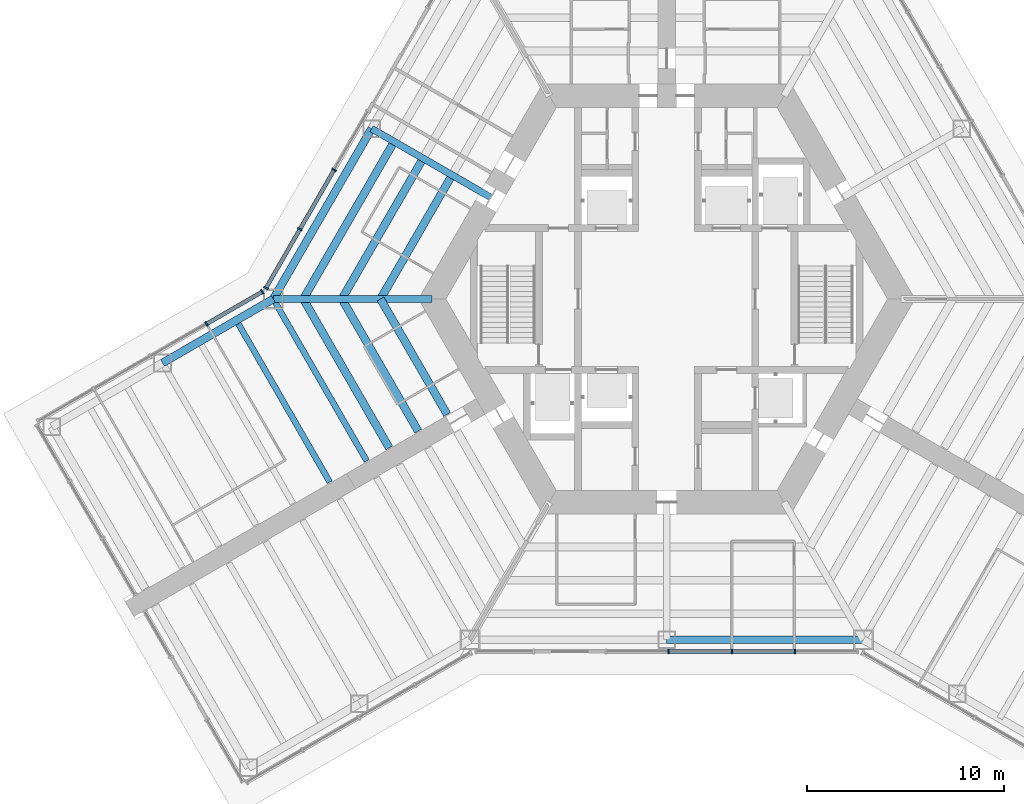
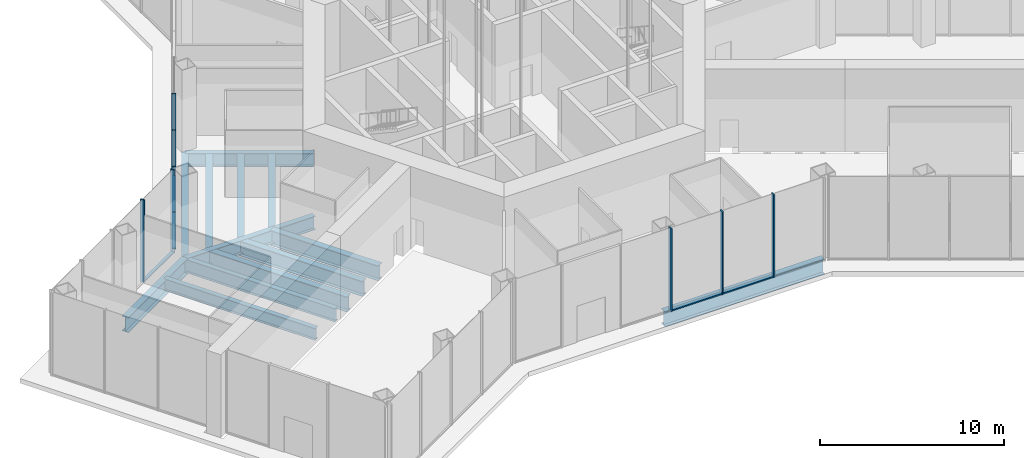
# One storey, part 3 of 18: 13 beams, 13 members, 3 elements without a shape of their own.
"""IFC4 building model written with IfcOpenShell, lengths in metres."""

from ifc_helpers import new_model, si_unit, direction, frame, origin, origin_2d, place, context, subcontext, project, spatial, rectangle, i_section, extrude, material, material_profile, profile_set, type_object, element, aggregate, save


model = new_model("IFC4")

# Units and contexts
model_context = context("Model", 3, precision=1e-05, world=origin(), true_north=direction((0.0, 1.0)))
body_context = subcontext(model_context, "Body", "Model", "MODEL_VIEW")
ifc_project = project(units=[si_unit("LENGTHUNIT", "METRE"), si_unit("AREAUNIT", "SQUARE_METRE"), si_unit("VOLUMEUNIT", "CUBIC_METRE"), si_unit("PLANEANGLEUNIT", "RADIAN"), si_unit("MASSUNIT", "GRAM", prefix="KILO")], contexts=[model_context])

# Site, building, storey
site_placement = place(None, origin())
site = spatial("IfcSite", under=ifc_project, at=site_placement, CompositionType="ELEMENT")
building_placement = place(site_placement, origin())
building = spatial("IfcBuilding", under=site, at=building_placement, Name="Kasaneha Research Tower", CompositionType="ELEMENT")
storey_placement = place(building_placement, origin())
storey = spatial("IfcBuildingStorey", under=building, at=storey_placement, Name="L01", CompositionType="ELEMENT", Elevation=0.0)

# Beams
ifc_material_1 = material(Name="Steel SN490B", Category="steel")
ifc_material_profile_1 = material_profile(ifc_material_1, i_section(OverallWidth=0.39990234375, OverallDepth=1.0, WebThickness=0.01904296875, FlangeThickness=0.035888671875, at=origin_2d()), Name="BH-1000x400x19x36")
ifc_profile_set_1 = profile_set([ifc_material_profile_1], Name="Steel SN490B")
beam_type_1 = type_object("IfcBeamType", Name="B1-0 secondary beam BH-1000x400x19x36", PredefinedType="JOIST", material=ifc_profile_set_1)
beam_1_placement = place(storey_placement, frame((-14.54931640625, 0.0, -0.800048828125), z_axis=(0.500000279077, 0.866025242659, 0.0), x_axis=(-0.866025242659, 0.500000279077, 0.0)))
element("IfcBeam", 1, at=beam_1_placement, inside=storey, type_object=beam_type_1, Name="Secondary beam RS150R1 L01", PredefinedType="JOIST", context=body_context, shape_type="SweptSolid", body=[
    extrude(i_section(OverallWidth=0.39990234375, OverallDepth=1.0, WebThickness=0.01904296875, FlangeThickness=0.035888671875, at=origin_2d()), origin(), (0.0, 0.0, 1.0), 7.099609375),
])
beam_2_placement = place(storey_placement, frame((-16.51220703125, 0.0, -0.800048828125), z_axis=(0.499992685514, 0.866029626764, 0.0), x_axis=(-0.866029626764, 0.499992685514, 0.0)))
element("IfcBeam", 2, at=beam_2_placement, inside=storey, type_object=beam_type_1, Name="Secondary beam RS150R2 L01", PredefinedType="JOIST", context=body_context, shape_type="SweptSolid", body=[
    extrude(i_section(OverallWidth=0.39990234375, OverallDepth=1.0, WebThickness=0.01904296875, FlangeThickness=0.035888671875, at=origin_2d()), origin(), (0.0, 0.0, 1.0), 8.0810546875),
])
beam_3_placement = place(storey_placement, frame((-18.47509765625, 0.0, -0.800048828125), z_axis=(0.499998401736, 0.866026326541, 0.0), x_axis=(-0.866026326541, 0.499998401736, 0.0)))
element("IfcBeam", 3, at=beam_3_placement, inside=storey, type_object=beam_type_1, Name="Secondary beam RS150R3 L01", PredefinedType="JOIST", context=body_context, shape_type="SweptSolid", body=[
    extrude(i_section(OverallWidth=0.39990234375, OverallDepth=1.0, WebThickness=0.01904296875, FlangeThickness=0.035888671875, at=origin_2d()), origin(), (0.0, 0.0, 1.0), 9.0625),
])
beam_4_placement = place(storey_placement, frame((-14.54931640625, 0.0, -0.800048828125), z_axis=(0.500018802781, -0.866014547721, 0.0), x_axis=(0.866014547721, 0.500018802781, 0.0)))
element("IfcBeam", 4, at=beam_4_placement, inside=storey, type_object=beam_type_1, Name="Secondary beam RS210L1 L01", PredefinedType="JOIST", context=body_context, shape_type="SweptSolid", body=[
    extrude(i_section(OverallWidth=0.39990234375, OverallDepth=1.0, WebThickness=0.01904296875, FlangeThickness=0.035888671875, at=origin_2d()), origin(), (0.0, 0.0, 1.0), 6.774658203125),
])
beam_5_placement = place(storey_placement, frame((-16.51220703125, 0.0, -0.800048828125), z_axis=(0.499984939085, -0.866034099033, 0.0), x_axis=(0.866034099033, 0.499984939085, 0.0)))
element("IfcBeam", 5, at=beam_5_placement, inside=storey, type_object=beam_type_1, Name="Secondary beam RS210L2 L01", PredefinedType="JOIST", context=body_context, shape_type="SweptSolid", body=[
    extrude(i_section(OverallWidth=0.39990234375, OverallDepth=1.0, WebThickness=0.01904296875, FlangeThickness=0.035888671875, at=origin_2d()), origin(), (0.0, 0.0, 1.0), 7.756103515625),
])
beam_6_placement = place(storey_placement, frame((-18.47509765625, 0.0, -0.800048828125), z_axis=(0.499991738058, -0.866030173766, 0.0), x_axis=(0.866030173766, 0.499991738058, 0.0)))
element("IfcBeam", 6, at=beam_6_placement, inside=storey, type_object=beam_type_1, Name="Secondary beam RS210L3 L01", PredefinedType="JOIST", context=body_context, shape_type="SweptSolid", body=[
    extrude(i_section(OverallWidth=0.39990234375, OverallDepth=1.0, WebThickness=0.01904296875, FlangeThickness=0.035888671875, at=origin_2d()), origin(), (0.0, 0.0, 1.0), 8.737548828125),
])
ifc_material_2 = material(Name="Steel SN490B", Category="steel")
ifc_material_profile_2 = material_profile(ifc_material_2, i_section(OverallWidth=0.300048828125, OverallDepth=0.800048828125, WebThickness=0.013916015625, FlangeThickness=0.02587890625, FilletRadius=0.01806640625, at=origin_2d()), Name="H-800x300x14x26")
ifc_profile_set_2 = profile_set([ifc_material_profile_2], Name="Steel SN490B")
beam_type_2 = type_object("IfcBeamType", Name="B2-0 secondary beam H-800x300x14x26", PredefinedType="JOIST", material=ifc_profile_set_2)
beam_7_placement = place(storey_placement, frame((-21.87646484375, -1.083251953125, -0.699951171875), z_axis=(0.499997557548, -0.86602681393, 0.0), x_axis=(0.86602681393, 0.499997557548, 0.0)))
element("IfcBeam", 7, at=beam_7_placement, inside=storey, type_object=beam_type_2, Name="Secondary beam WBBP1 L01", PredefinedType="JOIST", context=body_context, shape_type="SweptSolid", body=[
    extrude(i_section(OverallWidth=0.300048828125, OverallDepth=0.800048828125, WebThickness=0.013916015625, FlangeThickness=0.02587890625, FilletRadius=0.01806640625, at=origin_2d()), origin(), (0.0, 0.0, 1.0), 9.5),
])

# Curtain wall, members
ifc_material_3 = material(Name="Glass and aluminium", Category="aluminium")
curtain_wall_type = type_object("IfcCurtainWallType", Name="Entrance hall curtain wall", PredefinedType="USERDEFINED", material=ifc_material_3)
curtain_wall_1_placement = place(storey_placement, origin())
curtain_wall_1 = element("IfcCurtainWall", 8, at=curtain_wall_1_placement, inside=storey, type_object=curtain_wall_type, Name="CW-H L01 run 02c", ObjectType="UNITISED CURTAIN WALL", PredefinedType="USERDEFINED")
ifc_material_4 = material(Name="Aluminium 6063-T6", Category="aluminium")
ifc_material_profile_3 = material_profile(ifc_material_4, rectangle(XDim=0.080078125, YDim=0.25, at=origin_2d()), Name="CW-H mullion 80x250")
ifc_profile_set_3 = profile_set([ifc_material_profile_3], Name="Aluminium 6063-T6")
member_type_1 = type_object("IfcMemberType", Name="CW-H mullion", PredefinedType="MULLION", material=ifc_profile_set_3)
member_1_placement = place(storey_placement, frame((0.09521484375, -17.92041015625, 0.0), z_axis=(0.0, 0.0, 1.0), x_axis=(1.0, 0.0, 0.0)))
member_1 = element("IfcMember", 9, at=member_1_placement, type_object=member_type_1, Name="CW-H mullion 2", PredefinedType="MULLION", context=body_context, shape_type="SweptSolid", body=[
    extrude(rectangle(XDim=0.080078125, YDim=0.25, at=origin_2d()), origin(), (0.0, 0.0, 1.0), 5.5),
])
member_2_placement = place(storey_placement, frame((3.309814453125, -17.92041015625, 0.0), z_axis=(0.0, 0.0, 1.0), x_axis=(1.0, 0.0, 0.0)))
member_2 = element("IfcMember", 10, at=member_2_placement, type_object=member_type_1, Name="CW-H mullion 3", PredefinedType="MULLION", context=body_context, shape_type="SweptSolid", body=[
    extrude(rectangle(XDim=0.080078125, YDim=0.25, at=origin_2d()), origin(), (0.0, 0.0, 1.0), 5.5),
])
member_3_placement = place(storey_placement, frame((6.5244140625, -17.92041015625, 0.0), z_axis=(0.0, 0.0, 1.0), x_axis=(1.0, 0.0, 0.0)))
member_3 = element("IfcMember", 11, at=member_3_placement, type_object=member_type_1, Name="CW-H mullion 4", PredefinedType="MULLION", context=body_context, shape_type="SweptSolid", body=[
    extrude(rectangle(XDim=0.080078125, YDim=0.25, at=origin_2d()), origin(), (0.0, 0.0, 1.0), 5.5),
])

curtain_wall_2_placement = place(storey_placement, origin())
curtain_wall_2 = element("IfcCurtainWall", 12, at=curtain_wall_2_placement, inside=storey, type_object=curtain_wall_type, Name="CW-H L01 run 12d", ObjectType="UNITISED CURTAIN WALL", PredefinedType="USERDEFINED")
member_4_placement = place(storey_placement, frame((-16.90283203125, 6.564453125, 0.0), z_axis=(0.0, 0.0, 1.0), x_axis=(-0.49999996188, -0.866025425793, 0.0)))
member_4 = element("IfcMember", 13, at=member_4_placement, type_object=member_type_1, Name="CW-H mullion 2", PredefinedType="MULLION", context=body_context, shape_type="SweptSolid", body=[
    extrude(rectangle(XDim=0.080078125, YDim=0.25, at=origin_2d()), origin(), (0.0, 0.0, 1.0), 5.5),
])
member_5_placement = place(storey_placement, frame((-18.64599609375, 3.545166015625, 0.0), z_axis=(0.0, 0.0, 1.0), x_axis=(-0.49999996188, -0.866025425793, 0.0)))
member_5 = element("IfcMember", 14, at=member_5_placement, type_object=member_type_1, Name="CW-H mullion 3", PredefinedType="MULLION", context=body_context, shape_type="SweptSolid", body=[
    extrude(rectangle(XDim=0.080078125, YDim=0.25, at=origin_2d()), origin(), (0.0, 0.0, 1.0), 5.5),
])
member_6_placement = place(storey_placement, frame((-20.369140625, 0.560546875, 0.0), z_axis=(0.0, 0.0, 1.0), x_axis=(-0.49999996188, -0.866025425793, 0.0)))
member_6 = element("IfcMember", 15, at=member_6_placement, type_object=member_type_1, Name="CW-H mullion 4", PredefinedType="MULLION", context=body_context, shape_type="SweptSolid", body=[
    extrude(rectangle(XDim=0.080078125, YDim=0.25, at=origin_2d()), origin(), (0.0, 0.0, 1.0), 5.5),
])

curtain_wall_3_placement = place(storey_placement, origin())
curtain_wall_3 = element("IfcCurtainWall", 16, at=curtain_wall_3_placement, inside=storey, type_object=curtain_wall_type, Name="CW-H L01 run 13a", ObjectType="UNITISED CURTAIN WALL", PredefinedType="USERDEFINED")
member_7_placement = place(storey_placement, frame((-20.560546875, 0.369140625, 0.0), z_axis=(0.0, 0.0, 1.0), x_axis=(-0.866025411464, -0.499999986699, 0.0)))
member_7 = element("IfcMember", 17, at=member_7_placement, type_object=member_type_1, Name="CW-H mullion 1", PredefinedType="MULLION", context=body_context, shape_type="SweptSolid", body=[
    extrude(rectangle(XDim=0.080078125, YDim=0.25, at=origin_2d()), origin(), (0.0, 0.0, 1.0), 5.5),
])
member_8_placement = place(storey_placement, frame((-23.39208984375, -1.265625, 0.0), z_axis=(0.0, 0.0, 1.0), x_axis=(-0.866025411464, -0.499999986699, 0.0)))
member_8 = element("IfcMember", 18, at=member_8_placement, type_object=member_type_1, Name="CW-H mullion 2", PredefinedType="MULLION", context=body_context, shape_type="SweptSolid", body=[
    extrude(rectangle(XDim=0.080078125, YDim=0.25, at=origin_2d()), origin(), (0.0, 0.0, 1.0), 5.5),
])

# Member
ifc_material_5 = material(Name="Aluminium 6063-T6", Category="aluminium")
ifc_material_profile_4 = material_profile(ifc_material_5, rectangle(XDim=0.199951171875, YDim=0.080078125, at=origin_2d()), Name="CW-H transom 200x80")
ifc_profile_set_4 = profile_set([ifc_material_profile_4], Name="Aluminium 6063-T6")
member_type_2 = type_object("IfcMemberType", Name="CW-H transom", PredefinedType="USERDEFINED", material=ifc_profile_set_4)
member_9_placement = place(storey_placement, frame((0.135009765625, -17.92041015625, 0.0400390625), z_axis=(1.0, 0.0, 0.0), x_axis=(0.0, 1.0, 0.0)))
member_9 = element("IfcMember", 19, at=member_9_placement, type_object=member_type_2, Name="CW-H transom 2", ObjectType="TRANSOM", PredefinedType="USERDEFINED", context=body_context, shape_type="SweptSolid", body=[
    extrude(rectangle(XDim=0.199951171875, YDim=0.080078125, at=origin_2d()), origin(), (0.0, 0.0, 1.0), 3.134765625),
])

member_10_placement = place(storey_placement, frame((3.349853515625, -17.92041015625, 0.0400390625), z_axis=(1.0, 0.0, 0.0), x_axis=(0.0, 1.0, 0.0)))
member_10 = element("IfcMember", 20, at=member_10_placement, type_object=member_type_2, Name="CW-H transom 3", ObjectType="TRANSOM", PredefinedType="USERDEFINED", context=body_context, shape_type="SweptSolid", body=[
    extrude(rectangle(XDim=0.199951171875, YDim=0.080078125, at=origin_2d()), origin(), (0.0, 0.0, 1.0), 3.134765625),
])

aggregate(curtain_wall_1, [member_1, member_2, member_3, member_9, member_10])

member_11_placement = place(storey_placement, frame((-16.9228515625, 6.52978515625, 0.0400390625), z_axis=(-0.49999337185, -0.866029230515, 0.0), x_axis=(0.866029230515, -0.49999337185, 0.0)))
member_11 = element("IfcMember", 21, at=member_11_placement, type_object=member_type_2, Name="CW-H transom 2", ObjectType="TRANSOM", PredefinedType="USERDEFINED", context=body_context, shape_type="SweptSolid", body=[
    extrude(rectangle(XDim=0.199951171875, YDim=0.080078125, at=origin_2d()), origin(), (0.0, 0.0, 1.0), 3.40625),
])

member_12_placement = place(storey_placement, frame((-18.666015625, 3.510498046875, 0.0400390625), z_axis=(-0.499992408473, -0.86602978671, 0.0), x_axis=(0.86602978671, -0.499992408473, 0.0)))
member_12 = element("IfcMember", 22, at=member_12_placement, type_object=member_type_2, Name="CW-H transom 3", ObjectType="TRANSOM", PredefinedType="USERDEFINED", context=body_context, shape_type="SweptSolid", body=[
    extrude(rectangle(XDim=0.199951171875, YDim=0.080078125, at=origin_2d()), origin(), (0.0, 0.0, 1.0), 3.3662109375),
])

aggregate(curtain_wall_2, [member_4, member_5, member_6, member_11, member_12])

member_13_placement = place(storey_placement, frame((-20.59521484375, 0.34912109375, 0.0400390625), z_axis=(-0.866049209109, -0.499958765701, 0.0), x_axis=(0.499958765701, -0.866049209109, 0.0)))
member_13 = element("IfcMember", 23, at=member_13_placement, type_object=member_type_2, Name="CW-H transom 1", ObjectType="TRANSOM", PredefinedType="USERDEFINED", context=body_context, shape_type="SweptSolid", body=[
    extrude(rectangle(XDim=0.199951171875, YDim=0.080078125, at=origin_2d()), origin(), (0.0, 0.0, 1.0), 3.189697265625),
])

aggregate(curtain_wall_3, [member_7, member_8, member_13])

# Beams
ifc_material_6 = material(Name="Steel SN490B", Category="steel")
ifc_material_profile_5 = material_profile(ifc_material_6, i_section(OverallWidth=0.35009765625, OverallDepth=0.89990234375, WebThickness=0.01611328125, FlangeThickness=0.031982421875, at=origin_2d()), Name="BH-900x350x16x32")
ifc_profile_set_5 = profile_set([ifc_material_profile_5], Name="Steel SN490B")
beam_type_3 = type_object("IfcBeamType", Name="G1-0 radial girder BH-900x350x16x32", PredefinedType="BEAM", material=ifc_profile_set_5)
beam_8_placement = place(storey_placement, frame((-11.92236328125, 0.0, -0.75), z_axis=(-1.0, 0.0, 0.0), x_axis=(0.0, -1.0, 0.0)))
element("IfcBeam", 24, at=beam_8_placement, inside=storey, type_object=beam_type_3, Name="Radial girder RV180 L01", PredefinedType="BEAM", context=body_context, shape_type="SweptSolid", body=[
    extrude(i_section(OverallWidth=0.35009765625, OverallDepth=0.89990234375, WebThickness=0.01611328125, FlangeThickness=0.031982421875, at=origin_2d()), origin(), (0.0, 0.0, 1.0), 8.07763671875),
])
ifc_material_7 = material(Name="Steel SN490B", Category="steel")
ifc_material_profile_6 = material_profile(ifc_material_7, i_section(OverallWidth=0.35009765625, OverallDepth=0.89990234375, WebThickness=0.01611328125, FlangeThickness=0.031982421875, at=origin_2d()), Name="BH-900x350x16x32")
ifc_profile_set_6 = profile_set([ifc_material_profile_6], Name="Steel SN490B")
beam_type_4 = type_object("IfcBeamType", Name="G2-0 radial girder BH-900x350x16x32", PredefinedType="BEAM", material=ifc_profile_set_6)
beam_9_placement = place(storey_placement, frame((-8.941650390625, 5.16259765625, -0.75), z_axis=(-0.866039713508, 0.499975214012, 0.0), x_axis=(-0.499975214012, -0.866039713508, 0.0)))
element("IfcBeam", 25, at=beam_9_placement, inside=storey, type_object=beam_type_4, Name="Radial girder RM150 L01", PredefinedType="BEAM", context=body_context, shape_type="SweptSolid", body=[
    extrude(i_section(OverallWidth=0.35009765625, OverallDepth=0.89990234375, WebThickness=0.01611328125, FlangeThickness=0.031982421875, at=origin_2d()), origin(), (0.0, 0.0, 1.0), 6.995361328125),
])
ifc_material_8 = material(Name="Steel SN490B", Category="steel")
ifc_material_profile_7 = material_profile(ifc_material_8, i_section(OverallWidth=0.299072265625, OverallDepth=0.889892578125, WebThickness=0.014892578125, FlangeThickness=0.02294921875, FilletRadius=0.01806640625, at=origin_2d()), Name="H-890x299x15x23")
ifc_profile_set_7 = profile_set([ifc_material_profile_7], Name="Steel SN490B")
beam_type_5 = type_object("IfcBeamType", Name="G3-0 plate edge girder H-890x299x15x23", PredefinedType="BEAM", material=ifc_profile_set_7)
beam_10_placement = place(storey_placement, frame((-20.0, 0.0, -0.7451171875), z_axis=(0.499997557548, -0.86602681393, 0.0), x_axis=(0.86602681393, 0.499997557548, 0.0)))
element("IfcBeam", 26, at=beam_10_placement, inside=storey, type_object=beam_type_5, Name="Plate edge girder PEBP L01", PredefinedType="BEAM", context=body_context, shape_type="SweptSolid", body=[
    extrude(i_section(OverallWidth=0.299072265625, OverallDepth=0.889892578125, WebThickness=0.014892578125, FlangeThickness=0.02294921875, FilletRadius=0.01806640625, at=origin_2d()), origin(), (0.0, 0.0, 1.0), 9.5),
])
ifc_material_9 = material(Name="Steel SN490B", Category="steel")
ifc_material_profile_8 = material_profile(ifc_material_9, i_section(OverallWidth=0.39990234375, OverallDepth=1.0, WebThickness=0.01904296875, FlangeThickness=0.035888671875, at=origin_2d()), Name="BH-1000x400x19x36")
ifc_profile_set_8 = profile_set([ifc_material_profile_8], Name="Steel SN490B")
beam_type_6 = type_object("IfcBeamType", Name="SB1-0 spandrel beam BH-1000x400x19x36", PredefinedType="SPANDREL", material=ifc_profile_set_8)
for number, where, z_axis, x_axis, name in (
    (27, (-20.0, 0.0, -0.800048828125), (0.500004234368, 0.866022959057, 0.0), (-0.866022959057, 0.500004234368, 0.0), "Spandrel beam SR150R L01"),
    (28, (10.0, -17.320556640625, -0.800048828125), (-1.0, 0.0, 0.0), (0.0, -1.0, 0.0), "Spandrel beam SR270R L01"),
):
    element("IfcBeam", number, at=place(storey_placement, frame(where, z_axis=z_axis, x_axis=x_axis)), inside=storey, type_object=beam_type_6, Name=name, PredefinedType="SPANDREL", context=body_context, shape_type="SweptSolid", body=[
        extrude(i_section(OverallWidth=0.39990234375, OverallDepth=1.0, WebThickness=0.01904296875, FlangeThickness=0.035888671875, at=origin_2d()), origin(), (0.0, 0.0, 1.0), 10.0),
    ])
ifc_material_10 = material(Name="Steel SN490B", Category="steel")
ifc_material_profile_9 = material_profile(ifc_material_10, i_section(OverallWidth=0.39990234375, OverallDepth=1.0, WebThickness=0.01904296875, FlangeThickness=0.035888671875, at=origin_2d()), Name="BH-1000x400x19x36")
ifc_profile_set_9 = profile_set([ifc_material_profile_9], Name="Steel SN490B")
beam_type_7 = type_object("IfcBeamType", Name="SB2-0 spandrel beam BH-1000x400x19x36", PredefinedType="SPANDREL", material=ifc_profile_set_9)
beam_11_placement = place(storey_placement, frame((-20.0, 0.0, -0.800048828125), z_axis=(-0.866024837091, -0.50000098154, 0.0), x_axis=(0.50000098154, -0.866024837091, 0.0)))
element("IfcBeam", 29, at=beam_11_placement, inside=storey, type_object=beam_type_7, Name="Spandrel beam WSBP1 L01", PredefinedType="SPANDREL", context=body_context, shape_type="SweptSolid", body=[
    extrude(i_section(OverallWidth=0.39990234375, OverallDepth=1.0, WebThickness=0.01904296875, FlangeThickness=0.035888671875, at=origin_2d()), origin(), (0.0, 0.0, 1.0), 6.5),
])

save(model, "model.ifc")
